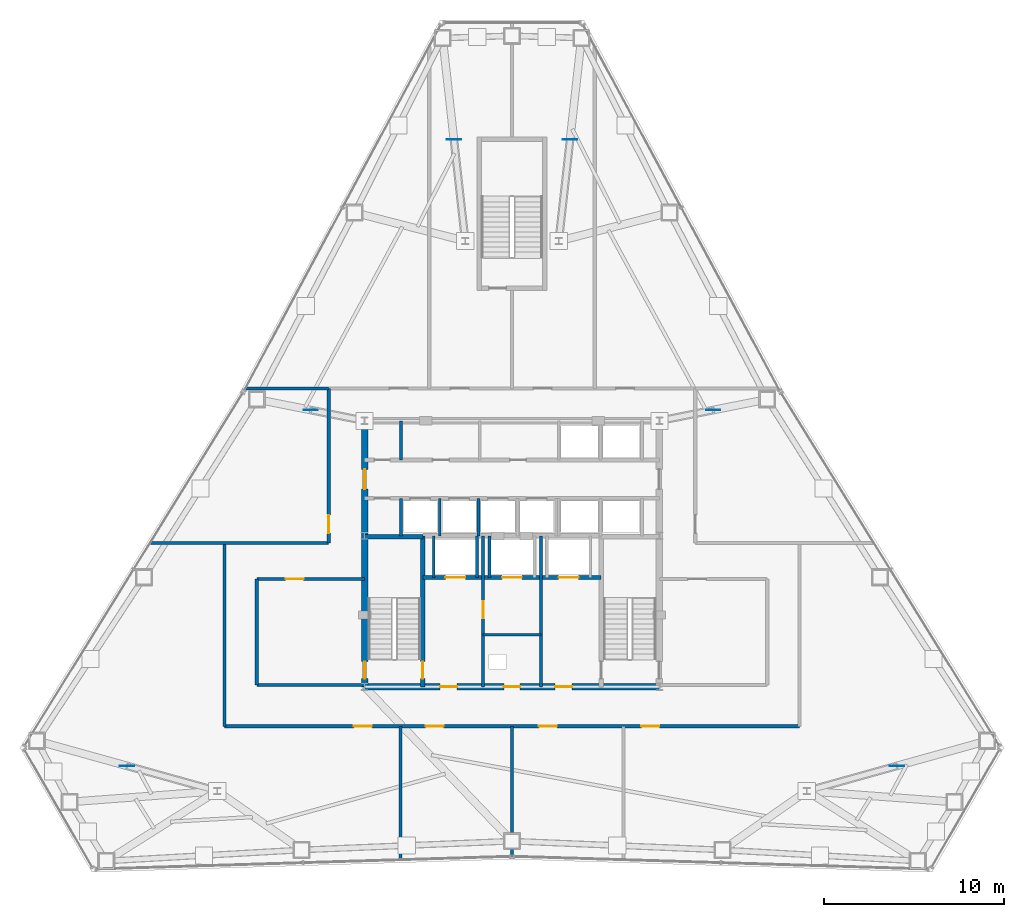
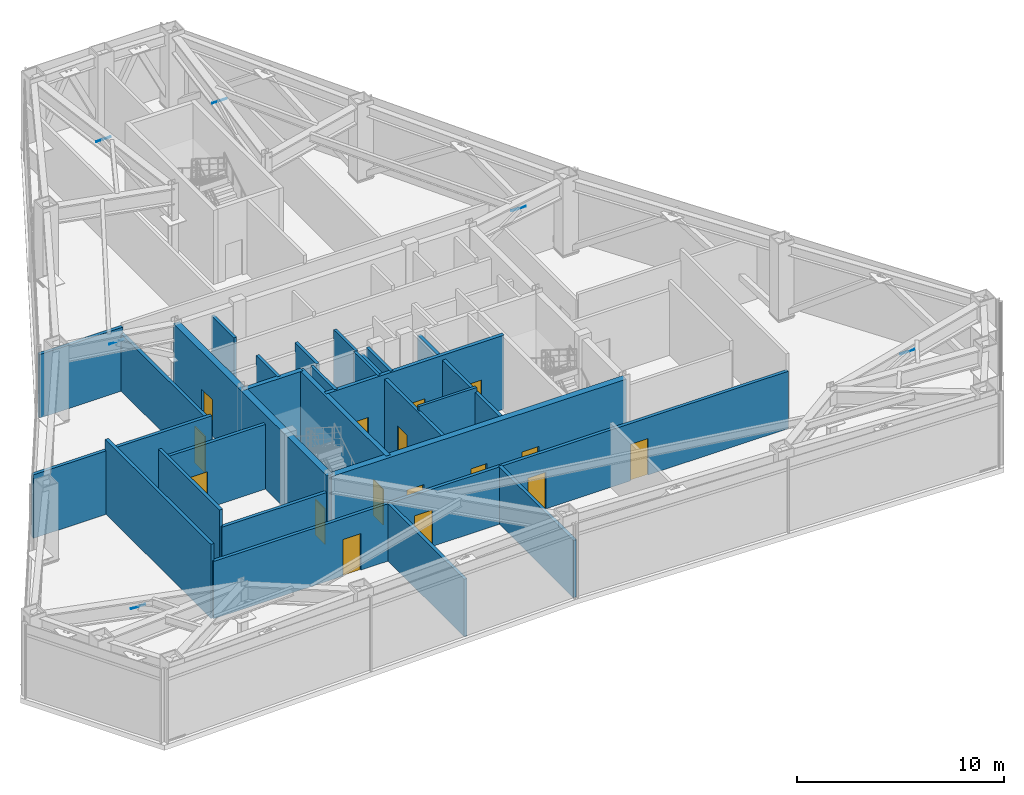
# One storey, part 9 of 12: 25 walls, 16 doors, 6 plates, 16 openings.
"""IFC4 building model written with IfcOpenShell, lengths in metres."""

import ifcopenshell
import ifcopenshell.guid

model = None  # the IFC model being written
_history = None  # IfcOwnerHistory: only IFC2X3 demands one
_inside = {}  # id of a spatial element -> (the spatial element, [elements in it])
_under = {}  # id of a project, library or spatial element -> (it, [spatial elements below it])
_declared = {}  # id of a project -> (the project, [libraries it declares])
_typed = {}  # id of a type object -> (the type object, [elements of that type])
_made_of = {}  # id of a material, layer set ... -> (it, [elements and type objects made of it])


def new_model(schema):
    """Start an empty IFC model of exactly this schema.

    Asked for "IFC4X3", IfcOpenShell would pick the latest addendum, in which some entities
    have other attributes; the version numbers below select the first issue.
    IFC2X3 requires an IfcOwnerHistory on every rooted entity: one is made here for all.
    """
    global model, _history
    if schema == "IFC4X3":
        model = ifcopenshell.file(schema_version=(4, 3, 0, 0))
    else:
        model = ifcopenshell.file(schema=schema)
    _inside.clear()
    _under.clear()
    _declared.clear()
    _typed.clear()
    _made_of.clear()
    _history = None
    if model.schema == "IFC2X3":
        org = make("IfcOrganization", Name="unknown")
        user = make(
            "IfcPersonAndOrganization",
            ThePerson=make("IfcPerson", FamilyName="unknown"),
            TheOrganization=org,
        )
        app = make(
            "IfcApplication",
            ApplicationDeveloper=org,
            Version="unknown",
            ApplicationFullName="unknown",
            ApplicationIdentifier="unknown",
        )
        _history = make(
            "IfcOwnerHistory",
            OwningUser=user,
            OwningApplication=app,
            ChangeAction="ADDED",
            CreationDate=0,
        )
    return model


def make(cls, **values):
    """One entity of the class cls with the attributes given. An attribute that is None is left unset."""
    return model.create_entity(
        cls, **{name: value for name, value in values.items() if value is not None}
    )


def rooted(cls, **values):
    """An entity with a GlobalId (a new one), such as an element, a storey or a relation."""
    return make(cls, GlobalId=ifcopenshell.guid.new(), OwnerHistory=_history, **values)


def si_unit(unit_type, name, prefix=None):
    """IfcSIUnit, for example si_unit("LENGTHUNIT", "METRE", prefix="MILLI")."""
    return make("IfcSIUnit", UnitType=unit_type, Prefix=prefix, Name=name)


def assignment(units):
    """IfcUnitAssignment: the units of a project."""
    return None if units is None else make("IfcUnitAssignment", Units=units)


def point(xyz):
    """IfcCartesianPoint."""
    return None if xyz is None else make("IfcCartesianPoint", Coordinates=xyz)


def direction(xyz):
    """IfcDirection."""
    return None if xyz is None else make("IfcDirection", DirectionRatios=xyz)


def frame(location, z_axis=None, x_axis=None):
    """IfcAxis2Placement3D, a coordinate frame: its origin and axes. An axis left out is left unset."""
    return make(
        "IfcAxis2Placement3D",
        Location=point(location),
        Axis=direction(z_axis),
        RefDirection=direction(x_axis),
    )


def frame_2d(location, x_axis=None):
    """IfcAxis2Placement2D, a coordinate frame in the plane: its origin and x axis."""
    return make(
        "IfcAxis2Placement2D", Location=point(location), RefDirection=direction(x_axis)
    )


def origin():
    """The frame at (0, 0, 0) with its axes left unset."""
    return frame((0.0, 0.0, 0.0))


def origin_2d():
    """The frame at (0, 0) in the plane with its x axis left unset."""
    return frame_2d((0.0, 0.0))


def place(relative_to, where):
    """IfcLocalPlacement: puts the frame where relative to a parent placement (None: the world)."""
    return make(
        "IfcLocalPlacement", PlacementRelTo=relative_to, RelativePlacement=where
    )


def context(
    kind, dimensions, precision=None, world=None, true_north=None, identifier=None
):
    """IfcGeometricRepresentationContext, for example the 3D "Model" context."""
    return make(
        "IfcGeometricRepresentationContext",
        ContextIdentifier=identifier,
        ContextType=kind,
        CoordinateSpaceDimension=dimensions,
        Precision=precision,
        WorldCoordinateSystem=world,
        TrueNorth=true_north,
    )


def subcontext(parent, identifier, kind, view, scale=None):
    """IfcGeometricRepresentationSubContext, for example "Body" below "Model"."""
    return make(
        "IfcGeometricRepresentationSubContext",
        ContextIdentifier=identifier,
        ContextType=kind,
        ParentContext=parent,
        TargetScale=scale,
        TargetView=view,
    )


def project(units=None, contexts=None):
    """IfcProject with its units and contexts."""
    return rooted(
        "IfcProject",
        Name="project",
        RepresentationContexts=contexts,
        UnitsInContext=assignment(units),
    )


def spatial(cls, under=None, at=None, **own):
    """A site, building, storey or space (cls), placed at a placement, below another one or the project."""
    s = rooted(cls, ObjectPlacement=at, **own)
    if under is not None:
        _under.setdefault(under.id(), (under, []))[1].append(s)
    return s


def profile(cls, at=None, kind="AREA", **sizes):
    """A parametric profile (cls). Its sizes go by their IFC names, for example OverallWidth=200.0."""
    return make(cls, ProfileType=kind, Position=at, **sizes)


def rectangle(**sizes):
    """IfcRectangleProfileDef."""
    return profile("IfcRectangleProfileDef", **sizes)


def extrude(swept, where, along, depth):
    """IfcExtrudedAreaSolid: the profile swept, set in the frame where, extruded along a direction by depth."""
    return make(
        "IfcExtrudedAreaSolid",
        SweptArea=swept,
        Position=where,
        ExtrudedDirection=direction(along),
        Depth=depth,
    )


def shape(context_of_items, identifier, shape_type, items):
    """IfcShapeRepresentation: the items that make up one representation, for example the "Body"."""
    return make(
        "IfcShapeRepresentation",
        ContextOfItems=context_of_items,
        RepresentationIdentifier=identifier,
        RepresentationType=shape_type,
        Items=items,
    )


def source(mapping_origin, context_of_items, identifier, shape_type, items):
    """IfcRepresentationMap: a shape defined once, which mapped items show again and again."""
    return make(
        "IfcRepresentationMap",
        MappingOrigin=mapping_origin,
        MappedRepresentation=shape(context_of_items, identifier, shape_type, items),
    )


def transform(
    local_origin,
    x_axis=None,
    y_axis=None,
    z_axis=None,
    scale=None,
    scale2=None,
    scale3=None,
    uniform=True,
):
    """IfcCartesianTransformationOperator3D, or its non-uniform kind. x_axis, y_axis, z_axis: its Axis1, 2, 3."""
    if uniform:
        return make(
            "IfcCartesianTransformationOperator3D",
            Axis1=direction(x_axis),
            Axis2=direction(y_axis),
            LocalOrigin=point(local_origin),
            Scale=scale,
            Axis3=direction(z_axis),
        )
    return make(
        "IfcCartesianTransformationOperator3DnonUniform",
        Axis1=direction(x_axis),
        Axis2=direction(y_axis),
        LocalOrigin=point(local_origin),
        Scale=scale,
        Axis3=direction(z_axis),
        Scale2=scale2,
        Scale3=scale3,
    )


def mapped(mapping_source, mapping_target):
    """IfcMappedItem: shows the shape of a source again, moved by a transform."""
    return make(
        "IfcMappedItem", MappingSource=mapping_source, MappingTarget=mapping_target
    )


def material(Name=None, Category=None):
    """IfcMaterial."""
    return make("IfcMaterial", Name=Name, Category=Category)


def layer(
    of_material, thickness, ventilated=None, Name=None, Category=None, Priority=None
):
    """IfcMaterialLayer: one layer of a wall or slab, of a material (None: an air gap)."""
    return make(
        "IfcMaterialLayer",
        Material=of_material,
        LayerThickness=thickness,
        IsVentilated=ventilated,
        Name=Name,
        Category=Category,
        Priority=Priority,
    )


def layer_set(layers, Name=None):
    """IfcMaterialLayerSet."""
    return make("IfcMaterialLayerSet", MaterialLayers=layers, LayerSetName=Name)


def made_of(thing, what):
    """Note that an element or type object is made of a material, layer set ...; save() writes the relation."""
    if what is not None:
        _made_of.setdefault(what.id(), (what, []))[1].append(thing)
    return thing


def type_object(cls, material=None, **own):
    """A type object (cls), such as IfcWallType, which elements share."""
    return made_of(rooted(cls, **own), material)


def type_shapes(of_type, sources):
    """Give a type object the sources (RepresentationMaps) that its elements show as mapped items."""
    of_type.RepresentationMaps = sources


def element(
    cls,
    number,
    at=None,
    inside=None,
    cuts=None,
    type_object=None,
    material=None,
    context=None,
    identifier="Body",
    shape_type=None,
    held_by="IfcProductDefinitionShape",
    body=None,
    shapes=None,
    **own,
):
    """One element of the class cls, such as IfcWall. Its Tag is "e" and its number.

    at: its placement. inside: the storey or other place that contains it. cuts: it is an
    opening in that element (IfcRelVoidsElement). A single representation is given by context,
    identifier, shape_type and body (its items); several are given by shapes. held_by: the class
    of the entity that holds the representations. save() writes the other relations.
    """
    e = rooted(cls, Tag="e%d" % number, ObjectPlacement=at, **own)
    if body is not None:
        shapes = [shape(context, identifier, shape_type, body)]
    if shapes is not None:
        e.Representation = make(held_by, Representations=shapes)
    if inside is not None:
        _inside.setdefault(inside.id(), (inside, []))[1].append(e)
    if cuts is not None:
        rooted(
            "IfcRelVoidsElement", RelatingBuildingElement=cuts, RelatedOpeningElement=e
        )
    if type_object is not None:
        _typed.setdefault(type_object.id(), (type_object, []))[1].append(e)
    return made_of(e, material)


def fill(opening, filler):
    """IfcRelFillsElement: the door or window that sits in an opening."""
    return rooted(
        "IfcRelFillsElement",
        RelatingOpeningElement=opening,
        RelatedBuildingElement=filler,
    )


def aggregate(whole, parts):
    """IfcRelAggregates: a whole, such as a stair, and the parts it consists of."""
    return rooted("IfcRelAggregates", RelatingObject=whole, RelatedObjects=parts)


def save(model, path):
    """Write the relations noted so far, then the file.

    IfcRelAggregates (storeys below a building ...), IfcRelContainedInSpatialStructure (elements
    in a storey), IfcRelDefinesByType, IfcRelAssociatesMaterial and IfcRelDeclares: one each for
    every whole, place, type object, material and project.
    """
    for whole, parts in _under.values():
        aggregate(whole, parts)
    for where, things in _inside.values():
        rooted(
            "IfcRelContainedInSpatialStructure",
            RelatedElements=things,
            RelatingStructure=where,
        )
    for kind, things in _typed.values():
        rooted("IfcRelDefinesByType", RelatedObjects=things, RelatingType=kind)
    for what, things in _made_of.values():
        rooted("IfcRelAssociatesMaterial", RelatedObjects=things, RelatingMaterial=what)
    for by, libraries in _declared.values():
        rooted("IfcRelDeclares", RelatingContext=by, RelatedDefinitions=libraries)
    model.write(path)


model = new_model("IFC4")

# Units and contexts
model_context = context("Model", 3, precision=1e-05, world=origin(), true_north=direction((0.0, 1.0)))
body_context = subcontext(model_context, "Body", "Model", "MODEL_VIEW")
ifc_project = project(units=[si_unit("LENGTHUNIT", "METRE"), si_unit("AREAUNIT", "SQUARE_METRE"), si_unit("VOLUMEUNIT", "CUBIC_METRE"), si_unit("PLANEANGLEUNIT", "RADIAN"), si_unit("MASSUNIT", "GRAM", prefix="KILO")], contexts=[model_context])

# Site, building, storey
site_placement = place(None, origin())
site = spatial("IfcSite", under=ifc_project, at=site_placement, CompositionType="ELEMENT")
building_placement = place(site_placement, origin())
building = spatial("IfcBuilding", under=site, at=building_placement, Name="Varakhsha Concourse Tower", CompositionType="ELEMENT")
storey_placement = place(building_placement, frame((0.0, 0.0, 157.39990234375)))
storey = spatial("IfcBuildingStorey", under=building, at=storey_placement, Name="L45", CompositionType="ELEMENT", Elevation=157.39990234375)

# Plates
ifc_material_1 = material(Name="Structural Steel ASTM A572 Grade 50", Category="steel")
ifc_layer_1 = layer(ifc_material_1, 0.031982421875, Name="PL-GUSSET-800")
ifc_layer_set_1 = layer_set([ifc_layer_1], Name="Structural Steel ASTM A572 Grade 50")
plate_type = type_object("IfcPlateType", Name="PL-GUSSET-800", PredefinedType="USERDEFINED", material=ifc_layer_set_1)
shared_shape = source(origin(), body_context, "Body", "SweptSolid", [
    extrude(rectangle(XDim=0.800048828125, YDim=0.031982421875, at=origin_2d()), origin(), (0.0, 0.0, 1.0), 0.031982421875),
])
type_shapes(plate_type, [shared_shape])
for number, where, z_axis, x_axis, name in (
    (1, (43.2314453125, 46.847900390625, 3.89404296875), (0.0, 0.0, 1.0), (1.0, 0.0, 0.0), "Hollow Section End Cap GP-L45-01"),
    (2, (36.7685546875, 46.847900390625, 3.89404296875), (0.0, 0.0, 1.0), (1.0, 0.0, 0.0), "Hollow Section End Cap GP-L45-02"),
    (3, (28.803955078125, 31.796875, 3.89404296875), (0.0, 0.0, 1.0), (1.0, 0.0, 0.0), "Hollow Section End Cap GP-L45-03"),
    (4, (18.581787109375, 11.998779296875, 3.89404296875), (0.0, 0.0, 1.0), (1.0, 0.0, 0.0), "Hollow Section End Cap GP-L45-04"),
    (5, (61.418212890625, 11.998779296875, 3.89404296875), (0.0, 0.0, 1.0), (1.0, 0.0, 0.0), "Hollow Section End Cap GP-L45-08"),
    (6, (51.196044921875, 31.796875, 3.89404296875), (0.0, 0.0, 1.0), (1.0, 0.0, 0.0), "Hollow Section End Cap GP-L45-09"),
):
    element("IfcPlate", number, at=place(storey_placement, frame(where, z_axis=z_axis, x_axis=x_axis)), inside=storey, type_object=plate_type, Name=name, ObjectType="GUSSET PLATE", PredefinedType="USERDEFINED", context=body_context, shape_type="MappedRepresentation", body=[
        mapped(shared_shape, transform((0.0, 0.0, 0.0), scale=1.0)),
    ])

# Wall, openings, doors
ifc_material_2 = material(Name="Concrete fc 65 MPa", Category="concrete")
ifc_layer_2 = layer(ifc_material_2, 0.35009765625, Name="WL-CORE-350")
ifc_layer_set_2 = layer_set([ifc_layer_2], Name="Concrete fc 65 MPa")
wall_type_1 = type_object("IfcWallType", Name="WL-CORE-350", PredefinedType="SHEAR", material=ifc_layer_set_2)
wall_1_placement = place(storey_placement, frame((31.800048828125, 16.39990234375, 0.0), z_axis=(0.0, 0.0, 1.0), x_axis=(1.0, 0.0, 0.0)))
wall_1 = element("IfcWall", 7, at=wall_1_placement, inside=storey, type_object=wall_type_1, Name="L45 Wall CWALL-S-L45", PredefinedType="SHEAR", context=body_context, shape_type="SweptSolid", body=[
    extrude(rectangle(XDim=16.39990234375, YDim=0.35009765625, at=frame_2d((8.199951171875, 0.0))), origin(), (0.0, 0.0, 1.0), 4.360107421875),
])
opening_1_placement = place(wall_1_placement, frame((7.75, 0.0, 0.0)))
opening_1 = element("IfcOpeningElement", 8, at=opening_1_placement, cuts=wall_1, Name="Opening DF-06", PredefinedType="OPENING", context=body_context, shape_type="SweptSolid", body=[
    extrude(rectangle(XDim=0.89990234375, YDim=2.10009765625, at=frame_2d((0.449951171875, 1.050048828125))), frame((0.0, 0.18505859375, 0.0), z_axis=(0.0, -1.0, 0.0), x_axis=(1.0, 0.0, 0.0)), (0.0, 0.0, 1.0), 0.3701171875),
])
opening_2_placement = place(wall_1_placement, frame((4.199951171875, 0.0, 0.0)))
opening_2 = element("IfcOpeningElement", 9, at=opening_2_placement, cuts=wall_1, Name="Opening DF-05", PredefinedType="OPENING", context=body_context, shape_type="SweptSolid", body=[
    extrude(rectangle(XDim=0.949951171875, YDim=2.10009765625, at=frame_2d((0.47509765625, 1.050048828125))), frame((0.0, 0.18505859375, 0.0), z_axis=(0.0, -1.0, 0.0), x_axis=(1.0, 0.0, 0.0)), (0.0, 0.0, 1.0), 0.3701171875),
])
opening_3_placement = place(wall_1_placement, frame((10.60009765625, 0.0, 0.0)))
opening_3 = element("IfcOpeningElement", 10, at=opening_3_placement, cuts=wall_1, Name="Opening DF-05", PredefinedType="OPENING", context=body_context, shape_type="SweptSolid", body=[
    extrude(rectangle(XDim=0.949951171875, YDim=2.10009765625, at=frame_2d((0.47509765625, 1.050048828125))), frame((0.0, 0.18505859375, 0.0), z_axis=(0.0, -1.0, 0.0), x_axis=(1.0, 0.0, 0.0)), (0.0, 0.0, 1.0), 0.3701171875),
])
ifc_material_3 = material(Name="Hollow Galvanised Steel Fire Door Assembly", Category="steel")
door_type_1 = type_object("IfcDoorType", Name="DR-FD60-900", OperationType="NOTDEFINED", PredefinedType="DOOR", material=ifc_material_3)
door_1_placement = place(opening_1_placement, origin())
door_1 = element("IfcDoor", 11, at=door_1_placement, inside=storey, type_object=door_type_1, Name="L45 Electrical Riser Access Door", OperationType="SINGLE_SWING_LEFT", OverallHeight=2.10009765625, OverallWidth=0.89990234375, PredefinedType="DOOR", context=body_context, shape_type="SweptSolid", body=[
    extrude(rectangle(XDim=0.89990234375, YDim=2.10009765625, at=frame_2d((0.449951171875, 1.050048828125))), frame((0.0, 0.02490234375, 0.0), z_axis=(0.0, -1.0, 0.0), x_axis=(1.0, 0.0, 0.0)), (0.0, 0.0, 1.0), 0.050048828125),
])
fill(opening_1, door_1)
door_type_2 = type_object("IfcDoorType", Name="DR-FD60-950", OperationType="NOTDEFINED", PredefinedType="DOOR", material=ifc_material_3)
door_2_placement = place(opening_2_placement, origin())
door_2 = element("IfcDoor", 12, at=door_2_placement, inside=storey, type_object=door_type_2, Name="L45 Firefighting Lobby West Door", OperationType="SINGLE_SWING_RIGHT", OverallHeight=2.10009765625, OverallWidth=0.949951171875, PredefinedType="DOOR", context=body_context, shape_type="SweptSolid", body=[
    extrude(rectangle(XDim=0.949951171875, YDim=2.10009765625, at=frame_2d((0.47509765625, 1.050048828125))), frame((0.0, 0.02490234375, 0.0), z_axis=(0.0, -1.0, 0.0), x_axis=(1.0, 0.0, 0.0)), (0.0, 0.0, 1.0), 0.050048828125),
])
fill(opening_2, door_2)
door_3_placement = place(opening_3_placement, origin())
door_3 = element("IfcDoor", 13, at=door_3_placement, inside=storey, type_object=door_type_2, Name="L45 Firefighting Lobby East Door", OperationType="SINGLE_SWING_LEFT", OverallHeight=2.10009765625, OverallWidth=0.949951171875, PredefinedType="DOOR", context=body_context, shape_type="SweptSolid", body=[
    extrude(rectangle(XDim=0.949951171875, YDim=2.10009765625, at=frame_2d((0.47509765625, 1.050048828125))), frame((0.0, 0.02490234375, 0.0), z_axis=(0.0, -1.0, 0.0), x_axis=(1.0, 0.0, 0.0)), (0.0, 0.0, 1.0), 0.050048828125),
])
fill(opening_3, door_3)

wall_2_placement = place(storey_placement, frame((31.800048828125, 16.39990234375, 0.0), z_axis=(0.0, 0.0, 1.0), x_axis=(0.0, 1.0, 0.0)))
wall_2 = element("IfcWall", 14, at=wall_2_placement, inside=storey, type_object=wall_type_1, Name="L45 Wall CWALL-W-L45", PredefinedType="SHEAR", context=body_context, shape_type="SweptSolid", body=[
    extrude(rectangle(XDim=14.800048828125, YDim=0.35009765625, at=frame_2d((7.39990234375, 0.0))), origin(), (0.0, 0.0, 1.0), 4.360107421875),
])
opening_4_placement = place(wall_2_placement, frame((11.0, 0.0, 0.0)))
opening_4 = element("IfcOpeningElement", 15, at=opening_4_placement, cuts=wall_2, Name="Opening DL-01", PredefinedType="OPENING", context=body_context, shape_type="SweptSolid", body=[
    extrude(rectangle(XDim=1.10009765625, YDim=2.14990234375, at=frame_2d((0.550048828125, 1.074951171875))), frame((0.0, 0.18505859375, 0.0), z_axis=(0.0, -1.0, 0.0), x_axis=(1.0, 0.0, 0.0)), (0.0, 0.0, 1.0), 0.3701171875),
])
opening_5_placement = place(wall_2_placement, frame((0.449951171875, 0.0, 0.0)))
opening_5 = element("IfcOpeningElement", 16, at=opening_5_placement, cuts=wall_2, Name="Opening DF-03", PredefinedType="OPENING", context=body_context, shape_type="SweptSolid", body=[
    extrude(rectangle(XDim=0.949951171875, YDim=2.10009765625, at=frame_2d((0.47509765625, 1.050048828125))), frame((0.0, 0.18505859375, 0.0), z_axis=(0.0, -1.0, 0.0), x_axis=(1.0, 0.0, 0.0)), (0.0, 0.0, 1.0), 0.3701171875),
])
door_type_3 = type_object("IfcDoorType", Name="DR-FD90-950", OperationType="NOTDEFINED", PredefinedType="DOOR", material=ifc_material_3)
door_4_placement = place(opening_5_placement, origin())
door_4 = element("IfcDoor", 17, at=door_4_placement, inside=storey, type_object=door_type_3, Name="L45 Area of Refuge West Stair ST1 Door", OperationType="SINGLE_SWING_LEFT", OverallHeight=2.10009765625, OverallWidth=0.949951171875, PredefinedType="DOOR", context=body_context, shape_type="SweptSolid", body=[
    extrude(rectangle(XDim=0.949951171875, YDim=2.10009765625, at=frame_2d((0.47509765625, 1.050048828125))), frame((0.0, 0.02490234375, 0.0), z_axis=(0.0, -1.0, 0.0), x_axis=(1.0, 0.0, 0.0)), (0.0, 0.0, 1.0), 0.050048828125),
])
fill(opening_5, door_4)
ifc_material_4 = material(Name="Anodised Bronze Architectural Aluminium AA 6063-T6", Category="aluminium")
door_type_4 = type_object("IfcDoorType", Name="DR-LOB-1100", OperationType="NOTDEFINED", PredefinedType="DOOR", material=ifc_material_4)
door_5_placement = place(opening_4_placement, origin())
door_5 = element("IfcDoor", 18, at=door_5_placement, inside=storey, type_object=door_type_4, Name="L45 Lift Lobby West Concourse Door", OperationType="SINGLE_SWING_LEFT", OverallHeight=2.14990234375, OverallWidth=1.10009765625, PredefinedType="DOOR", context=body_context, shape_type="SweptSolid", body=[
    extrude(rectangle(XDim=1.10009765625, YDim=2.14990234375, at=frame_2d((0.550048828125, 1.074951171875))), frame((0.0, 0.02490234375, 0.0), z_axis=(0.0, -1.0, 0.0), x_axis=(1.0, 0.0, 0.0)), (0.0, 0.0, 1.0), 0.050048828125),
])
fill(opening_4, door_5)

# Wall, opening, door
ifc_material_5 = material(Name="Fire-Rated Type X Gypsum Partition Assembly", Category="gypsum")
ifc_layer_3 = layer(ifc_material_5, 0.179931640625, Name="WL-FFLOB-180")
ifc_layer_set_3 = layer_set([ifc_layer_3], Name="Fire-Rated Type X Gypsum Partition Assembly")
wall_type_2 = type_object("IfcWallType", Name="WL-FFLOB-180", PredefinedType="PARTITIONING", material=ifc_layer_set_3)
wall_3_placement = place(storey_placement, frame((38.389892578125, 16.39990234375, 0.0), z_axis=(0.0, 0.0, 1.0), x_axis=(0.0, 1.0, 0.0)))
wall_3 = element("IfcWall", 19, at=wall_3_placement, inside=storey, type_object=wall_type_2, Name="L45 Wall FFW-1E-L45", PredefinedType="PARTITIONING", context=body_context, shape_type="SweptSolid", body=[
    extrude(rectangle(XDim=8.400146484375, YDim=0.179931640625, at=frame_2d((4.2001953125, 0.0))), origin(), (0.0, 0.0, 1.0), 4.088134765625),
])
opening_6_placement = place(wall_3_placement, frame((3.800048828125, 0.0, 0.0)))
opening_6 = element("IfcOpeningElement", 20, at=opening_6_placement, cuts=wall_3, Name="Opening DF-05", PredefinedType="OPENING", context=body_context, shape_type="SweptSolid", body=[
    extrude(rectangle(XDim=0.949951171875, YDim=2.10009765625, at=frame_2d((0.47509765625, 1.050048828125))), frame((0.0, 0.099853515625, 0.0), z_axis=(0.0, -1.0, 0.0), x_axis=(1.0, 0.0, 0.0)), (0.0, 0.0, 1.0), 0.199951171875),
])
door_6_placement = place(opening_6_placement, origin())
door_6 = element("IfcDoor", 21, at=door_6_placement, inside=storey, type_object=door_type_2, Name="L45 Service Vestibule Door", OperationType="SINGLE_SWING_RIGHT", OverallHeight=2.10009765625, OverallWidth=0.949951171875, PredefinedType="DOOR", context=body_context, shape_type="SweptSolid", body=[
    extrude(rectangle(XDim=0.949951171875, YDim=2.10009765625, at=frame_2d((0.47509765625, 1.050048828125))), frame((0.0, 0.02490234375, 0.0), z_axis=(0.0, -1.0, 0.0), x_axis=(1.0, 0.0, 0.0)), (0.0, 0.0, 1.0), 0.050048828125),
])
fill(opening_6, door_6)

# Walls
wall_4_placement = place(storey_placement, frame((41.610107421875, 16.39990234375, 0.0), z_axis=(0.0, 0.0, 1.0), x_axis=(0.0, 1.0, 0.0)))
element("IfcWall", 22, at=wall_4_placement, inside=storey, type_object=wall_type_2, Name="L45 Wall FFW-2W-L45", PredefinedType="PARTITIONING", context=body_context, shape_type="SweptSolid", body=[
    extrude(rectangle(XDim=8.400146484375, YDim=0.179931640625, at=frame_2d((4.2001953125, 0.0))), origin(), (0.0, 0.0, 1.0), 4.088134765625),
])
ifc_layer_4 = layer(ifc_material_5, 0.14990234375, Name="WL-PART-150")
ifc_layer_set_4 = layer_set([ifc_layer_4], Name="Fire-Rated Type X Gypsum Partition Assembly")
wall_type_3 = type_object("IfcWallType", Name="WL-PART-150", PredefinedType="PARTITIONING", material=ifc_layer_set_4)
wall_5_placement = place(storey_placement, frame((38.389892578125, 19.300048828125, 0.0), z_axis=(0.0, 0.0, 1.0), x_axis=(1.0, 0.0, 0.0)))
element("IfcWall", 23, at=wall_5_placement, inside=storey, type_object=wall_type_3, Name="L45 Wall RSW-H-L45", PredefinedType="PARTITIONING", context=body_context, shape_type="SweptSolid", body=[
    extrude(rectangle(XDim=3.22021484375, YDim=0.14990234375, at=frame_2d((1.610107421875, 0.0))), origin(), (0.0, 0.0, 1.0), 4.360107421875),
])

# Wall, openings, doors
ifc_layer_5 = layer(ifc_material_5, 0.179931640625, Name="WL-PART-180")
ifc_layer_set_5 = layer_set([ifc_layer_5], Name="Fire-Rated Type X Gypsum Partition Assembly")
wall_type_4 = type_object("IfcWallType", Name="WL-PART-180", PredefinedType="PARTITIONING", material=ifc_layer_set_5)
wall_6_placement = place(storey_placement, frame((24.0, 14.199951171875, 0.0), z_axis=(0.0, 0.0, 1.0), x_axis=(1.0, 0.0, 0.0)))
wall_6 = element("IfcWall", 24, at=wall_6_placement, inside=storey, type_object=wall_type_4, Name="L45 Wall PCW-S-L45", PredefinedType="PARTITIONING", context=body_context, shape_type="SweptSolid", body=[
    extrude(rectangle(XDim=32.0, YDim=0.179931640625, at=frame_2d((16.0, 0.0))), origin(), (0.0, 0.0, 1.0), 3.375),
])
opening_7_placement = place(wall_6_placement, frame((7.199951171875, 0.0, 0.0)))
opening_7 = element("IfcOpeningElement", 25, at=opening_7_placement, cuts=wall_6, Name="Opening DF-04", PredefinedType="OPENING", context=body_context, shape_type="SweptSolid", body=[
    extrude(rectangle(XDim=1.0, YDim=2.14990234375, at=frame_2d((0.5, 1.074951171875))), frame((0.0, 0.099853515625, 0.0), z_axis=(0.0, -1.0, 0.0), x_axis=(1.0, 0.0, 0.0)), (0.0, 0.0, 1.0), 0.199951171875),
])
opening_8_placement = place(wall_6_placement, frame((11.199951171875, 0.0, 0.0)))
opening_8 = element("IfcOpeningElement", 26, at=opening_8_placement, cuts=wall_6, Name="Opening DF-04", PredefinedType="OPENING", context=body_context, shape_type="SweptSolid", body=[
    extrude(rectangle(XDim=1.0, YDim=2.14990234375, at=frame_2d((0.5, 1.074951171875))), frame((0.0, 0.099853515625, 0.0), z_axis=(0.0, -1.0, 0.0), x_axis=(1.0, 0.0, 0.0)), (0.0, 0.0, 1.0), 0.199951171875),
])
opening_9_placement = place(wall_6_placement, frame((17.5, 0.0, 0.0)))
opening_9 = element("IfcOpeningElement", 27, at=opening_9_placement, cuts=wall_6, Name="Opening DF-04", PredefinedType="OPENING", context=body_context, shape_type="SweptSolid", body=[
    extrude(rectangle(XDim=1.0, YDim=2.14990234375, at=frame_2d((0.5, 1.074951171875))), frame((0.0, 0.099853515625, 0.0), z_axis=(0.0, -1.0, 0.0), x_axis=(1.0, 0.0, 0.0)), (0.0, 0.0, 1.0), 0.199951171875),
])
opening_10_placement = place(wall_6_placement, frame((23.199951171875, 0.0, 0.0)))
opening_10 = element("IfcOpeningElement", 28, at=opening_10_placement, cuts=wall_6, Name="Opening DF-04", PredefinedType="OPENING", context=body_context, shape_type="SweptSolid", body=[
    extrude(rectangle(XDim=1.0, YDim=2.14990234375, at=frame_2d((0.5, 1.074951171875))), frame((0.0, 0.099853515625, 0.0), z_axis=(0.0, -1.0, 0.0), x_axis=(1.0, 0.0, 0.0)), (0.0, 0.0, 1.0), 0.199951171875),
])
door_type_5 = type_object("IfcDoorType", Name="DR-FD60-1000", OperationType="NOTDEFINED", PredefinedType="DOOR", material=ifc_material_3)
door_7_placement = place(opening_7_placement, origin())
door_7 = element("IfcDoor", 29, at=door_7_placement, inside=storey, type_object=door_type_5, Name="L45 West Chiller and Heat Rejection Plant Room Door", OperationType="SINGLE_SWING_LEFT", OverallHeight=2.14990234375, OverallWidth=1.0, PredefinedType="DOOR", context=body_context, shape_type="SweptSolid", body=[
    extrude(rectangle(XDim=1.0, YDim=2.14990234375, at=frame_2d((0.5, 1.074951171875))), frame((0.0, 0.02490234375, 0.0), z_axis=(0.0, -1.0, 0.0), x_axis=(1.0, 0.0, 0.0)), (0.0, 0.0, 1.0), 0.050048828125),
])
fill(opening_7, door_7)
door_8_placement = place(opening_8_placement, origin())
door_8 = element("IfcDoor", 30, at=door_8_placement, inside=storey, type_object=door_type_5, Name="L45 Central Condenser Pump Plant Room Door", OperationType="SINGLE_SWING_LEFT", OverallHeight=2.14990234375, OverallWidth=1.0, PredefinedType="DOOR", context=body_context, shape_type="SweptSolid", body=[
    extrude(rectangle(XDim=1.0, YDim=2.14990234375, at=frame_2d((0.5, 1.074951171875))), frame((0.0, 0.02490234375, 0.0), z_axis=(0.0, -1.0, 0.0), x_axis=(1.0, 0.0, 0.0)), (0.0, 0.0, 1.0), 0.050048828125),
])
fill(opening_8, door_8)
door_9_placement = place(opening_9_placement, origin())
door_9 = element("IfcDoor", 31, at=door_9_placement, inside=storey, type_object=door_type_5, Name="L45 Heat Recovery Tank Mechanical Plant Room Door", OperationType="SINGLE_SWING_LEFT", OverallHeight=2.14990234375, OverallWidth=1.0, PredefinedType="DOOR", context=body_context, shape_type="SweptSolid", body=[
    extrude(rectangle(XDim=1.0, YDim=2.14990234375, at=frame_2d((0.5, 1.074951171875))), frame((0.0, 0.02490234375, 0.0), z_axis=(0.0, -1.0, 0.0), x_axis=(1.0, 0.0, 0.0)), (0.0, 0.0, 1.0), 0.050048828125),
])
fill(opening_9, door_9)
door_10_placement = place(opening_10_placement, origin())
door_10 = element("IfcDoor", 32, at=door_10_placement, inside=storey, type_object=door_type_5, Name="L45 East Heat Exchanger Mechanical Plant Room Door", OperationType="SINGLE_SWING_LEFT", OverallHeight=2.14990234375, OverallWidth=1.0, PredefinedType="DOOR", context=body_context, shape_type="SweptSolid", body=[
    extrude(rectangle(XDim=1.0, YDim=2.14990234375, at=frame_2d((0.5, 1.074951171875))), frame((0.0, 0.02490234375, 0.0), z_axis=(0.0, -1.0, 0.0), x_axis=(1.0, 0.0, 0.0)), (0.0, 0.0, 1.0), 0.050048828125),
])
fill(opening_10, door_10)

# Wall
wall_7_placement = place(storey_placement, frame((24.0, 14.199951171875, 0.0), z_axis=(0.0, 0.0, 1.0), x_axis=(0.0, 1.0, 0.0)))
element("IfcWall", 33, at=wall_7_placement, inside=storey, type_object=wall_type_4, Name="L45 Wall PCW-WS-L45", PredefinedType="PARTITIONING", context=body_context, shape_type="SweptSolid", body=[
    extrude(rectangle(XDim=10.199951171875, YDim=0.179931640625, at=frame_2d((5.10009765625, 0.0))), origin(), (0.0, 0.0, 1.0), 4.360107421875),
])

# Wall, opening, door
wall_8_placement = place(storey_placement, frame((29.800048828125, 24.39990234375, 0.0), z_axis=(0.0, 0.0, 1.0), x_axis=(0.0, 1.0, 0.0)))
wall_8 = element("IfcWall", 34, at=wall_8_placement, inside=storey, type_object=wall_type_4, Name="L45 Wall PCW-WW-L45", PredefinedType="PARTITIONING", context=body_context, shape_type="SweptSolid", body=[
    extrude(rectangle(XDim=8.60009765625, YDim=0.179931640625, at=frame_2d((4.300048828125, 0.0))), origin(), (0.0, 0.0, 1.0), 3.375),
])
opening_11_placement = place(wall_8_placement, frame((0.550048828125, 0.0, 0.0)))
opening_11 = element("IfcOpeningElement", 35, at=opening_11_placement, cuts=wall_8, Name="Opening DF-04", PredefinedType="OPENING", context=body_context, shape_type="SweptSolid", body=[
    extrude(rectangle(XDim=1.0, YDim=2.14990234375, at=frame_2d((0.5, 1.074951171875))), frame((0.0, 0.099853515625, 0.0), z_axis=(0.0, -1.0, 0.0), x_axis=(1.0, 0.0, 0.0)), (0.0, 0.0, 1.0), 0.199951171875),
])
door_11_placement = place(opening_11_placement, origin())
door_11 = element("IfcDoor", 36, at=door_11_placement, inside=storey, type_object=door_type_5, Name="L45 West AHU and Smoke Exhaust Plant Room Door", OperationType="SINGLE_SWING_LEFT", OverallHeight=2.14990234375, OverallWidth=1.0, PredefinedType="DOOR", context=body_context, shape_type="SweptSolid", body=[
    extrude(rectangle(XDim=1.0, YDim=2.14990234375, at=frame_2d((0.5, 1.074951171875))), frame((0.0, 0.02490234375, 0.0), z_axis=(0.0, -1.0, 0.0), x_axis=(1.0, 0.0, 0.0)), (0.0, 0.0, 1.0), 0.050048828125),
])
fill(opening_11, door_11)

# Wall
wall_9_placement = place(storey_placement, frame((25.800048828125, 16.5, 0.0), z_axis=(0.0, 0.0, 1.0), x_axis=(1.0, 0.0, 0.0)))
element("IfcWall", 37, at=wall_9_placement, inside=storey, type_object=wall_type_4, Name="L45 Wall REFW-WS-L45", PredefinedType="PARTITIONING", context=body_context, shape_type="SweptSolid", body=[
    extrude(rectangle(XDim=6.0, YDim=0.179931640625, at=frame_2d((3.0, 0.0))), origin(), (0.0, 0.0, 1.0), 3.375),
])

# Wall, opening, door
wall_10_placement = place(storey_placement, frame((25.800048828125, 22.39990234375, 0.0), z_axis=(0.0, 0.0, 1.0), x_axis=(1.0, 0.0, 0.0)))
wall_10 = element("IfcWall", 38, at=wall_10_placement, inside=storey, type_object=wall_type_4, Name="L45 Wall REFW-WN-L45", PredefinedType="PARTITIONING", context=body_context, shape_type="SweptSolid", body=[
    extrude(rectangle(XDim=6.0, YDim=0.179931640625, at=frame_2d((3.0, 0.0))), origin(), (0.0, 0.0, 1.0), 3.81103515625),
])
opening_12_placement = place(wall_10_placement, frame((1.60009765625, 0.0, 0.0)))
opening_12 = element("IfcOpeningElement", 39, at=opening_12_placement, cuts=wall_10, Name="Opening DF-04", PredefinedType="OPENING", context=body_context, shape_type="SweptSolid", body=[
    extrude(rectangle(XDim=1.0, YDim=2.14990234375, at=frame_2d((0.5, 1.074951171875))), frame((0.0, 0.099853515625, 0.0), z_axis=(0.0, -1.0, 0.0), x_axis=(1.0, 0.0, 0.0)), (0.0, 0.0, 1.0), 0.199951171875),
])
door_12_placement = place(opening_12_placement, origin())
door_12 = element("IfcDoor", 40, at=door_12_placement, inside=storey, type_object=door_type_5, Name="L45 Area of Refuge West Lobby Door", OperationType="SINGLE_SWING_LEFT", OverallHeight=2.14990234375, OverallWidth=1.0, PredefinedType="DOOR", context=body_context, shape_type="SweptSolid", body=[
    extrude(rectangle(XDim=1.0, YDim=2.14990234375, at=frame_2d((0.5, 1.074951171875))), frame((0.0, 0.02490234375, 0.0), z_axis=(0.0, -1.0, 0.0), x_axis=(1.0, 0.0, 0.0)), (0.0, 0.0, 1.0), 0.050048828125),
])
fill(opening_12, door_12)

# Walls
wall_11_placement = place(storey_placement, frame((25.800048828125, 16.5, 0.0), z_axis=(0.0, 0.0, 1.0), x_axis=(0.0, 1.0, 0.0)))
element("IfcWall", 41, at=wall_11_placement, inside=storey, type_object=wall_type_4, Name="L45 Wall REFW-WW-L45", PredefinedType="PARTITIONING", context=body_context, shape_type="SweptSolid", body=[
    extrude(rectangle(XDim=5.89990234375, YDim=0.179931640625, at=frame_2d((2.949951171875, 0.0))), origin(), (0.0, 0.0, 1.0), 4.360107421875),
])
wall_12_placement = place(storey_placement, frame((19.86572265625, 24.39990234375, 0.0), z_axis=(0.0, 0.0, 1.0), x_axis=(1.0, 0.0, 0.0)))
element("IfcWall", 42, at=wall_12_placement, inside=storey, type_object=wall_type_4, Name="L45 Wall PDIV-WS-L45", PredefinedType="PARTITIONING", context=body_context, shape_type="SweptSolid", body=[
    extrude(rectangle(XDim=9.934326171875, YDim=0.179931640625, at=frame_2d((4.96728515625, 0.0))), origin(), (0.0, 0.0, 1.0), 3.739013671875),
])
wall_13_placement = place(storey_placement, frame((25.172607421875, 33.0, 0.0), z_axis=(0.0, 0.0, 1.0), x_axis=(1.0, 0.0, 0.0)))
element("IfcWall", 43, at=wall_13_placement, inside=storey, type_object=wall_type_4, Name="L45 Wall PDIV-WN-L45", PredefinedType="PARTITIONING", context=body_context, shape_type="SweptSolid", body=[
    extrude(rectangle(XDim=4.62744140625, YDim=0.179931640625, at=frame_2d((2.313720703125, 0.0))), origin(), (0.0, 0.0, 1.0), 3.739013671875),
])
wall_14_placement = place(storey_placement, frame((33.800048828125, 6.776123046875, 0.0), z_axis=(0.0, 0.0, 1.0), x_axis=(0.0, 1.0, 0.0)))
element("IfcWall", 44, at=wall_14_placement, inside=storey, type_object=wall_type_4, Name="L45 Wall PDIV-S1-L45", PredefinedType="PARTITIONING", context=body_context, shape_type="SweptSolid", body=[
    extrude(rectangle(XDim=7.423828125, YDim=0.179931640625, at=frame_2d((3.7119140625, 0.0))), origin(), (0.0, 0.0, 1.0), 3.375),
])
wall_15_placement = place(storey_placement, frame((40.0, 6.965087890625, 0.0), z_axis=(0.0, 0.0, 1.0), x_axis=(0.0, 1.0, 0.0)))
element("IfcWall", 45, at=wall_15_placement, inside=storey, type_object=wall_type_4, Name="L45 Wall PDIV-S2-L45", PredefinedType="PARTITIONING", context=body_context, shape_type="SweptSolid", body=[
    extrude(rectangle(XDim=7.23486328125, YDim=0.179931640625, at=frame_2d((3.617431640625, 0.0))), origin(), (0.0, 0.0, 1.0), 3.375),
])

# Wall, openings, doors
ifc_layer_6 = layer(ifc_material_5, 0.199951171875, Name="WL-SHAFT-220")
ifc_layer_set_6 = layer_set([ifc_layer_6], Name="Fire-Rated Type X Gypsum Partition Assembly")
wall_type_5 = type_object("IfcWallType", Name="WL-SHAFT-220", PredefinedType="SOLIDWALL", material=ifc_layer_set_6)
wall_16_placement = place(storey_placement, frame((35.044921875, 22.47998046875, 0.0), z_axis=(0.0, 0.0, 1.0), x_axis=(1.0, 0.0, 0.0)))
wall_16 = element("IfcWall", 46, at=wall_16_placement, inside=storey, type_object=wall_type_5, Name="L45 Wall FFW-NH-L45", PredefinedType="SOLIDWALL", context=body_context, shape_type="SweptSolid", body=[
    extrude(rectangle(XDim=9.91015625, YDim=0.199951171875, at=frame_2d((4.955078125, 0.0))), origin(), (0.0, 0.0, 1.0), 4.360107421875),
])
opening_13_placement = place(wall_16_placement, frame((1.2548828125, 0.0, 0.0)))
opening_13 = element("IfcOpeningElement", 47, at=opening_13_placement, cuts=wall_16, Name="Opening LD-FFL-1", PredefinedType="OPENING", context=body_context, shape_type="SweptSolid", body=[
    extrude(rectangle(XDim=1.10009765625, YDim=2.14990234375, at=frame_2d((0.550048828125, 1.074951171875))), frame((0.0, 0.10986328125, 0.0), z_axis=(0.0, -1.0, 0.0), x_axis=(1.0, 0.0, 0.0)), (0.0, 0.0, 1.0), 0.219970703125),
])
opening_14_placement = place(wall_16_placement, frame((7.554931640625, 0.0, 0.0)))
opening_14 = element("IfcOpeningElement", 48, at=opening_14_placement, cuts=wall_16, Name="Opening LD-FFL-2", PredefinedType="OPENING", context=body_context, shape_type="SweptSolid", body=[
    extrude(rectangle(XDim=1.10009765625, YDim=2.14990234375, at=frame_2d((0.550048828125, 1.074951171875))), frame((0.0, 0.10986328125, 0.0), z_axis=(0.0, -1.0, 0.0), x_axis=(1.0, 0.0, 0.0)), (0.0, 0.0, 1.0), 0.219970703125),
])
opening_15_placement = place(wall_16_placement, frame((4.405029296875, 0.0, 0.0)))
opening_15 = element("IfcOpeningElement", 49, at=opening_15_placement, cuts=wall_16, Name="Opening LD-SVL-1", PredefinedType="OPENING", context=body_context, shape_type="SweptSolid", body=[
    extrude(rectangle(XDim=1.10009765625, YDim=2.14990234375, at=frame_2d((0.550048828125, 1.074951171875))), frame((0.0, 0.10986328125, 0.0), z_axis=(0.0, -1.0, 0.0), x_axis=(1.0, 0.0, 0.0)), (0.0, 0.0, 1.0), 0.219970703125),
])
ifc_material_6 = material(Name="Brushed Austenitic Stainless Steel AISI 316", Category="steel")
door_type_6 = type_object("IfcDoorType", Name="DR-LD-1100", OperationType="DOUBLE_DOOR_SLIDING", PredefinedType="DOOR", material=ifc_material_6)
door_13_placement = place(opening_13_placement, origin())
door_13 = element("IfcDoor", 50, at=door_13_placement, inside=storey, type_object=door_type_6, Name="Lift Landing Door FFL-1 L45", OperationType="DOUBLE_DOOR_SLIDING", OverallHeight=2.14990234375, OverallWidth=1.10009765625, PredefinedType="DOOR", context=body_context, shape_type="SweptSolid", body=[
    extrude(rectangle(XDim=1.10009765625, YDim=2.14990234375, at=frame_2d((0.550048828125, 1.074951171875))), frame((0.0, 0.02490234375, 0.0), z_axis=(0.0, -1.0, 0.0), x_axis=(1.0, 0.0, 0.0)), (0.0, 0.0, 1.0), 0.050048828125),
])
fill(opening_13, door_13)
door_14_placement = place(opening_14_placement, origin())
door_14 = element("IfcDoor", 51, at=door_14_placement, inside=storey, type_object=door_type_6, Name="Lift Landing Door FFL-2 L45", OperationType="DOUBLE_DOOR_SLIDING", OverallHeight=2.14990234375, OverallWidth=1.10009765625, PredefinedType="DOOR", context=body_context, shape_type="SweptSolid", body=[
    extrude(rectangle(XDim=1.10009765625, YDim=2.14990234375, at=frame_2d((0.550048828125, 1.074951171875))), frame((0.0, 0.02490234375, 0.0), z_axis=(0.0, -1.0, 0.0), x_axis=(1.0, 0.0, 0.0)), (0.0, 0.0, 1.0), 0.050048828125),
])
fill(opening_14, door_14)
door_15_placement = place(opening_15_placement, origin())
door_15 = element("IfcDoor", 52, at=door_15_placement, inside=storey, type_object=door_type_6, Name="Lift Landing Door SVL-1 L45", OperationType="DOUBLE_DOOR_SLIDING", OverallHeight=2.14990234375, OverallWidth=1.10009765625, PredefinedType="DOOR", context=body_context, shape_type="SweptSolid", body=[
    extrude(rectangle(XDim=1.10009765625, YDim=2.14990234375, at=frame_2d((0.550048828125, 1.074951171875))), frame((0.0, 0.02490234375, 0.0), z_axis=(0.0, -1.0, 0.0), x_axis=(1.0, 0.0, 0.0)), (0.0, 0.0, 1.0), 0.050048828125),
])
fill(opening_15, door_15)

# Walls
for number, where, z_axis, x_axis, name in (
    (53, (35.64990234375, 22.47998046875, 0.0), (0.0, 0.0, 1.0), (0.0, 1.0, 0.0), "L45 Wall SHW-FFL-1-W-L45"),
    (54, (38.050048828125, 22.47998046875, 0.0), (0.0, 0.0, 1.0), (0.0, 1.0, 0.0), "L45 Wall SHW-FFL-1-E-L45"),
    (55, (38.75, 22.47998046875, 0.0), (0.0, 0.0, 1.0), (0.0, 1.0, 0.0), "L45 Wall SHW-SVL-1-W-L45"),
):
    element("IfcWall", number, at=place(storey_placement, frame(where, z_axis=z_axis, x_axis=x_axis)), inside=storey, type_object=wall_type_5, Name=name, PredefinedType="SOLIDWALL", context=body_context, shape_type="SweptSolid", body=[
        extrude(rectangle(XDim=2.320068359375, YDim=0.159912109375, at=frame_2d((1.16015625, 0.0))), origin(), (0.0, 0.0, 1.0), 4.360107421875),
    ])
wall_17_placement = place(storey_placement, frame((33.820068359375, 29.02001953125, 0.0), z_axis=(0.0, 0.0, 1.0), x_axis=(0.0, 1.0, 0.0)))
element("IfcWall", 56, at=wall_17_placement, inside=storey, type_object=wall_type_5, Name="L45 Wall WBOH-E1-L45", PredefinedType="SOLIDWALL", context=body_context, shape_type="SweptSolid", body=[
    extrude(rectangle(XDim=2.179931640625, YDim=0.159912109375, at=frame_2d((1.08984375, 0.0))), origin(), (0.0, 0.0, 1.0), 4.088134765625),
])
for number, where, z_axis, x_axis, name in (
    (57, (33.820068359375, 24.800048828125, 0.0), (0.0, 0.0, 1.0), (0.0, 1.0, 0.0), "L45 Wall WBOH-E2-L45"),
    (58, (35.97998046875, 24.800048828125, 0.0), (0.0, 0.0, 1.0), (0.0, 1.0, 0.0), "L45 Wall SHW-LF-P05-E-L45"),
    (59, (38.139892578125, 24.800048828125, 0.0), (0.0, 0.0, 1.0), (0.0, 1.0, 0.0), "L45 Wall SHW-LF-P06-E-L45"),
):
    element("IfcWall", number, at=place(storey_placement, frame(where, z_axis=z_axis, x_axis=x_axis)), inside=storey, type_object=wall_type_5, Name=name, PredefinedType="SOLIDWALL", context=body_context, shape_type="SweptSolid", body=[
        extrude(rectangle(XDim=2.079833984375, YDim=0.159912109375, at=frame_2d((1.0400390625, 0.0))), origin(), (0.0, 0.0, 1.0), 4.360107421875),
    ])

# Wall, opening, door
ifc_material_7 = material(Name="Concrete fc 45 MPa", Category="concrete")
ifc_layer_7 = layer(ifc_material_7, 0.25, Name="WL-STAIR-250")
ifc_layer_set_7 = layer_set([ifc_layer_7], Name="Concrete fc 45 MPa")
wall_type_6 = type_object("IfcWallType", Name="WL-STAIR-250", PredefinedType="SHEAR", material=ifc_layer_set_7)
wall_18_placement = place(storey_placement, frame((35.044921875, 16.39990234375, 0.0), z_axis=(0.0, 0.0, 1.0), x_axis=(0.0, 1.0, 0.0)))
wall_18 = element("IfcWall", 60, at=wall_18_placement, inside=storey, type_object=wall_type_6, Name="L45 Wall SWALL-ST1-E-L45", PredefinedType="SHEAR", context=body_context, shape_type="SweptSolid", body=[
    extrude(rectangle(XDim=8.400146484375, YDim=0.25, at=frame_2d((4.2001953125, 0.0))), origin(), (0.0, 0.0, 1.0), 4.360107421875),
])
opening_16_placement = place(wall_18_placement, frame((0.449951171875, 0.0, 0.0)))
opening_16 = element("IfcOpeningElement", 61, at=opening_16_placement, cuts=wall_18, Name="Opening DF-03", PredefinedType="OPENING", context=body_context, shape_type="SweptSolid", body=[
    extrude(rectangle(XDim=0.949951171875, YDim=2.10009765625, at=frame_2d((0.47509765625, 1.050048828125))), frame((0.0, 0.135009765625, 0.0), z_axis=(0.0, -1.0, 0.0), x_axis=(1.0, 0.0, 0.0)), (0.0, 0.0, 1.0), 0.27001953125),
])
door_16_placement = place(opening_16_placement, origin())
door_16 = element("IfcDoor", 62, at=door_16_placement, inside=storey, type_object=door_type_3, Name="L45 Stair ST1 Fire Door", OperationType="SINGLE_SWING_LEFT", OverallHeight=2.10009765625, OverallWidth=0.949951171875, PredefinedType="DOOR", context=body_context, shape_type="SweptSolid", body=[
    extrude(rectangle(XDim=0.949951171875, YDim=2.10009765625, at=frame_2d((0.47509765625, 1.050048828125))), frame((0.0, 0.02490234375, 0.0), z_axis=(0.0, -1.0, 0.0), x_axis=(1.0, 0.0, 0.0)), (0.0, 0.0, 1.0), 0.050048828125),
])
fill(opening_16, door_16)

# Wall
wall_19_placement = place(storey_placement, frame((31.800048828125, 24.7548828125, 0.0), z_axis=(0.0, 0.0, 1.0), x_axis=(1.0, 0.0, 0.0)))
element("IfcWall", 63, at=wall_19_placement, inside=storey, type_object=wall_type_6, Name="L45 Wall SWALL-ST1-N-L45", PredefinedType="SHEAR", context=body_context, shape_type="SweptSolid", body=[
    extrude(rectangle(XDim=3.244873046875, YDim=0.25, at=frame_2d((1.62255859375, 0.0))), origin(), (0.0, 0.0, 1.0), 4.360107421875),
])

save(model, "model.ifc")
